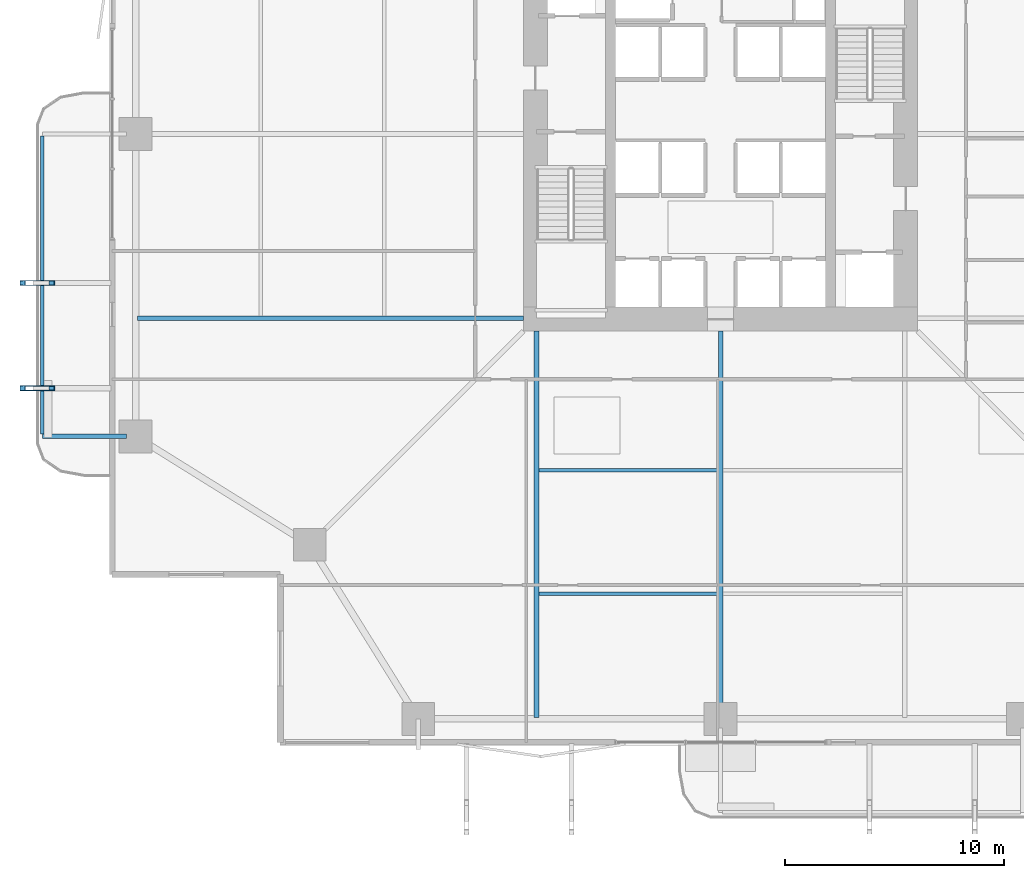
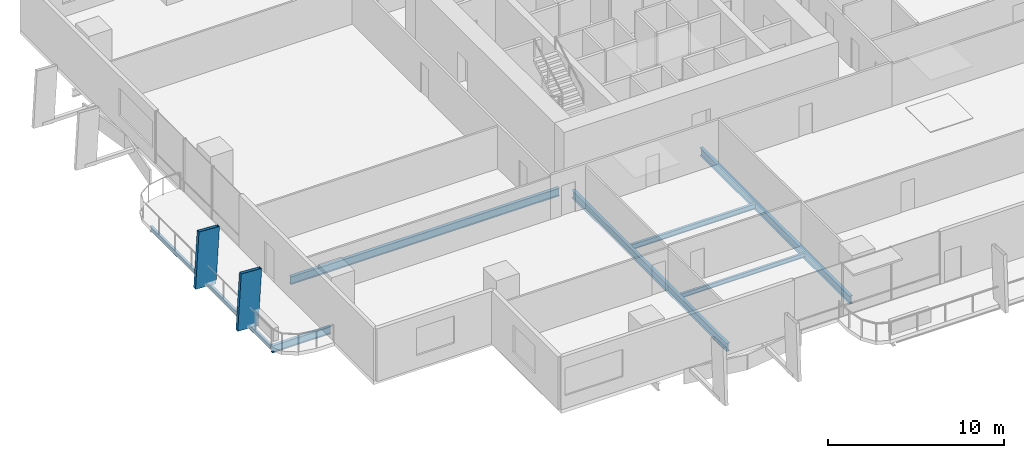
# One storey, part 3 of 24: 7 beams, 2 members.
"""IFC4 building model written with IfcOpenShell, lengths in metres."""

from ifc_helpers import new_model, si_unit, direction, frame, origin, origin_2d, place, context, subcontext, project, spatial, hollow_rectangle, i_section, extrude, material, material_profile, profile_set, type_object, element, save


model = new_model("IFC4")

# Units and contexts
model_context = context("Model", 3, precision=1e-05, world=origin(), true_north=direction((0.0, 1.0)))
body_context = subcontext(model_context, "Body", "Model", "MODEL_VIEW")
ifc_project = project(units=[si_unit("LENGTHUNIT", "METRE"), si_unit("AREAUNIT", "SQUARE_METRE"), si_unit("VOLUMEUNIT", "CUBIC_METRE"), si_unit("PLANEANGLEUNIT", "RADIAN"), si_unit("MASSUNIT", "GRAM", prefix="KILO")], contexts=[model_context])

# Site, building, storey
site_placement = place(None, origin())
site = spatial("IfcSite", under=ifc_project, at=site_placement, CompositionType="ELEMENT")
building_placement = place(site_placement, origin())
building = spatial("IfcBuilding", under=site, at=building_placement, Name="Belovzor Exchange Tower", CompositionType="ELEMENT")
storey_placement = place(building_placement, frame((0.0, 0.0, 33.89990234375)))
storey = spatial("IfcBuildingStorey", under=building, at=storey_placement, Name="L07", CompositionType="ELEMENT", Elevation=33.89990234375)

# Members
ifc_material_1 = material(Name="Extruded Architectural Terracotta on Steel S355 Carrier", Category="masonry")
ifc_material_profile_1 = material_profile(ifc_material_1, hollow_rectangle(XDim=0.219970703125, YDim=1.35009765625, WallThickness=0.013916015625, at=origin_2d()))
ifc_profile_set_1 = profile_set([ifc_material_profile_1], Name="Extruded Architectural Terracotta on Steel S355 Carrier")
member_type = type_object("IfcMemberType", Name="Base Arc Sweeping Terracotta Pylon Fin 1450", PredefinedType="USERDEFINED", material=ifc_profile_set_1)
for number, where, z_axis, x_axis, name in (
    (1, (-2.50390625, 17.199951171875, -0.25), (0.059113970154, 0.0, 0.998251240186), (0.0, 1.0, 0.0), "FIN-TC145 Terracotta Facade Fin L07 W1"),
    (2, (-2.50390625, 22.0, -0.25), (0.059113970154, 0.0, 0.998251240186), (0.0, 1.0, 0.0), "FIN-TC145 Terracotta Facade Fin L07 W2"),
):
    element("IfcMember", number, at=place(storey_placement, frame(where, z_axis=z_axis, x_axis=x_axis)), inside=storey, type_object=member_type, Name=name, ObjectType="FIN", PredefinedType="USERDEFINED", context=body_context, shape_type="SweptSolid", body=[
        extrude(hollow_rectangle(XDim=0.219970703125, YDim=1.35009765625, WallThickness=0.013916015625, at=origin_2d()), origin(), (0.0, 0.0, 1.0), 3.906982421875),
    ])

# Beams
ifc_material_2 = material(Name="Steel S355", Category="steel")
ifc_material_profile_2 = material_profile(ifc_material_2, i_section(OverallWidth=0.199951171875, OverallDepth=0.5, WebThickness=0.01025390625, FlangeThickness=0.01611328125, at=origin_2d()))
ifc_profile_set_2 = profile_set([ifc_material_profile_2], Name="Steel S355")
beam_type_1 = type_object("IfcBeamType", Name="Planted Balcony Cantilever Beam IPE 500", PredefinedType="BEAM", material=ifc_profile_set_2)
beam_1_placement = place(storey_placement, frame((1.68798828125, 15.0, -0.5), z_axis=(-1.0, 0.0, 0.0), x_axis=(0.0, -1.0, 0.0)))
element("IfcBeam", 3, at=beam_1_placement, inside=storey, type_object=beam_type_1, Name="BC-500 Planted Balcony Cantilever Beam IPE 500", PredefinedType="BEAM", context=body_context, shape_type="SweptSolid", body=[
    extrude(i_section(OverallWidth=0.199951171875, OverallDepth=0.5, WebThickness=0.01025390625, FlangeThickness=0.01611328125, at=origin_2d()), origin(), (0.0, 0.0, 1.0), 3.85009765625),
])
ifc_material_3 = material(Name="Steel S355", Category="steel")
ifc_material_profile_3 = material_profile(ifc_material_3, i_section(OverallWidth=0.14990234375, OverallDepth=0.300048828125, WebThickness=0.007080078125, FlangeThickness=0.0107421875, at=origin_2d()))
ifc_profile_set_3 = profile_set([ifc_material_profile_3], Name="Steel S355")
beam_type_2 = type_object("IfcBeamType", Name="Planted Balcony Fascia Edge Beam IPE 300", PredefinedType="BEAM", material=ifc_profile_set_3)
beam_2_placement = place(storey_placement, frame((-2.162109375, 28.699951171875, -0.39990234375), z_axis=(0.0, -1.0, 0.0), x_axis=(1.0, 0.0, 0.0)))
element("IfcBeam", 4, at=beam_2_placement, inside=storey, type_object=beam_type_2, Name="BC-300 Planted Balcony Fascia Edge Beam IPE 300", PredefinedType="BEAM", context=body_context, shape_type="SweptSolid", body=[
    extrude(i_section(OverallWidth=0.14990234375, OverallDepth=0.300048828125, WebThickness=0.007080078125, FlangeThickness=0.0107421875, at=origin_2d()), origin(), (0.0, 0.0, 1.0), 13.599853515625),
])
ifc_material_4 = material(Name="Steel S355", Category="steel")
ifc_material_profile_4 = material_profile(ifc_material_4, i_section(OverallWidth=0.169921875, OverallDepth=0.360107421875, WebThickness=0.008056640625, FlangeThickness=0.0126953125, at=origin_2d()))
ifc_profile_set_4 = profile_set([ifc_material_profile_4], Name="Steel S355")
beam_type_3 = type_object("IfcBeamType", Name="Secondary Infill Floor Joist IPE 360", PredefinedType="BEAM", material=ifc_profile_set_4)
beam_3_placement = place(storey_placement, frame((20.5048828125, 13.455078125, -0.429931640625), z_axis=(1.0, 0.0, 0.0), x_axis=(0.0, 1.0, 0.0)))
element("IfcBeam", 5, at=beam_3_placement, inside=storey, type_object=beam_type_3, Name="FJ-360 Secondary Infill Floor Joist IPE 360", PredefinedType="BEAM", context=body_context, shape_type="SweptSolid", body=[
    extrude(i_section(OverallWidth=0.169921875, OverallDepth=0.360107421875, WebThickness=0.008056640625, FlangeThickness=0.0126953125, at=origin_2d()), origin(), (0.0, 0.0, 1.0), 8.190185546875),
])
ifc_material_5 = material(Name="Steel S355", Category="steel")
ifc_material_profile_5 = material_profile(ifc_material_5, i_section(OverallWidth=0.14990234375, OverallDepth=0.300048828125, WebThickness=0.007080078125, FlangeThickness=0.0107421875, at=origin_2d()))
ifc_profile_set_5 = profile_set([ifc_material_profile_5], Name="Steel S355")
beam_type_4 = type_object("IfcBeamType", Name="Secondary Trim Floor Joist IPE 300", PredefinedType="BEAM", material=ifc_profile_set_5)
beam_4_placement = place(storey_placement, frame((20.5048828125, 7.81494140625, -0.39990234375), z_axis=(1.0, 0.0, 0.0), x_axis=(0.0, 1.0, 0.0)))
element("IfcBeam", 6, at=beam_4_placement, inside=storey, type_object=beam_type_4, Name="FJ-300 Secondary Trim Floor Joist IPE 300", PredefinedType="BEAM", context=body_context, shape_type="SweptSolid", body=[
    extrude(i_section(OverallWidth=0.14990234375, OverallDepth=0.300048828125, WebThickness=0.007080078125, FlangeThickness=0.0107421875, at=origin_2d()), origin(), (0.0, 0.0, 1.0), 8.190185546875),
])
ifc_material_6 = material(Name="Steel S355", Category="steel")
ifc_material_profile_6 = material_profile(ifc_material_6, i_section(OverallWidth=0.2099609375, OverallDepth=0.550048828125, WebThickness=0.010986328125, FlangeThickness=0.01708984375, at=origin_2d()))
ifc_profile_set_6 = profile_set([ifc_material_profile_6], Name="Steel S355")
beam_type_5 = type_object("IfcBeamType", Name="Zone 1 Radial Composite Floor Beam IPE 550", PredefinedType="BEAM", material=ifc_profile_set_6)
beam_5_placement = place(storey_placement, frame((20.39990234375, 19.800048828125, -0.52490234375), z_axis=(0.0, -1.0, 0.0), x_axis=(1.0, 0.0, 0.0)))
element("IfcBeam", 7, at=beam_5_placement, inside=storey, type_object=beam_type_5, Name="FB-550 Zone 1 Radial Composite Floor Beam IPE 550", PredefinedType="BEAM", context=body_context, shape_type="SweptSolid", body=[
    extrude(i_section(OverallWidth=0.2099609375, OverallDepth=0.550048828125, WebThickness=0.010986328125, FlangeThickness=0.01708984375, at=origin_2d()), origin(), (0.0, 0.0, 1.0), 17.625),
])
beam_6_placement = place(storey_placement, frame((28.800048828125, 19.800048828125, -0.52490234375), z_axis=(0.0, -1.0, 0.0), x_axis=(1.0, 0.0, 0.0)))
element("IfcBeam", 8, at=beam_6_placement, inside=storey, type_object=beam_type_5, Name="FB-550 Zone 1 Radial Composite Floor Beam IPE 550", PredefinedType="BEAM", context=body_context, shape_type="SweptSolid", body=[
    extrude(i_section(OverallWidth=0.2099609375, OverallDepth=0.550048828125, WebThickness=0.010986328125, FlangeThickness=0.01708984375, at=origin_2d()), origin(), (0.0, 0.0, 1.0), 17.0400390625),
])
beam_7_placement = place(storey_placement, frame((19.800048828125, 20.39990234375, -0.52490234375), z_axis=(-1.0, 0.0, 0.0), x_axis=(0.0, -1.0, 0.0)))
element("IfcBeam", 9, at=beam_7_placement, inside=storey, type_object=beam_type_5, Name="FB-550 Zone 1 Radial Composite Floor Beam IPE 550", PredefinedType="BEAM", context=body_context, shape_type="SweptSolid", body=[
    extrude(i_section(OverallWidth=0.2099609375, OverallDepth=0.550048828125, WebThickness=0.010986328125, FlangeThickness=0.01708984375, at=origin_2d()), origin(), (0.0, 0.0, 1.0), 17.625),
])

save(model, "model.ifc")
